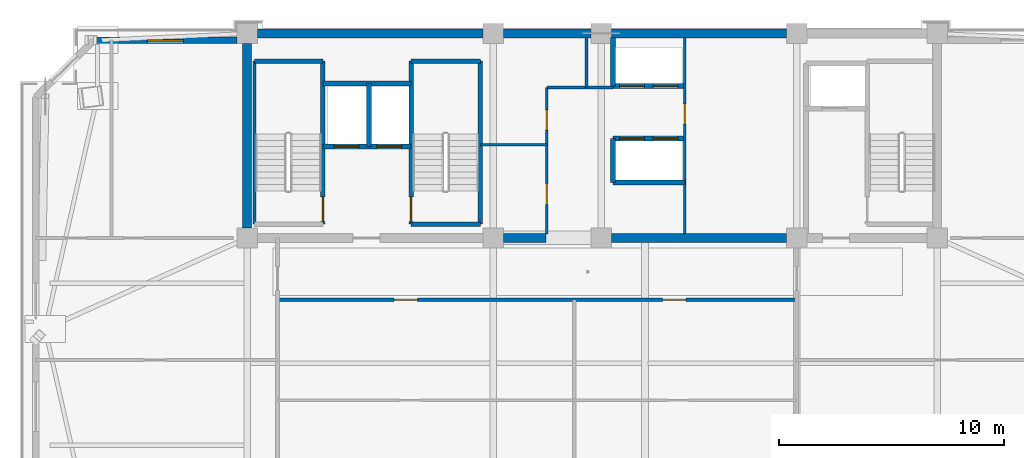
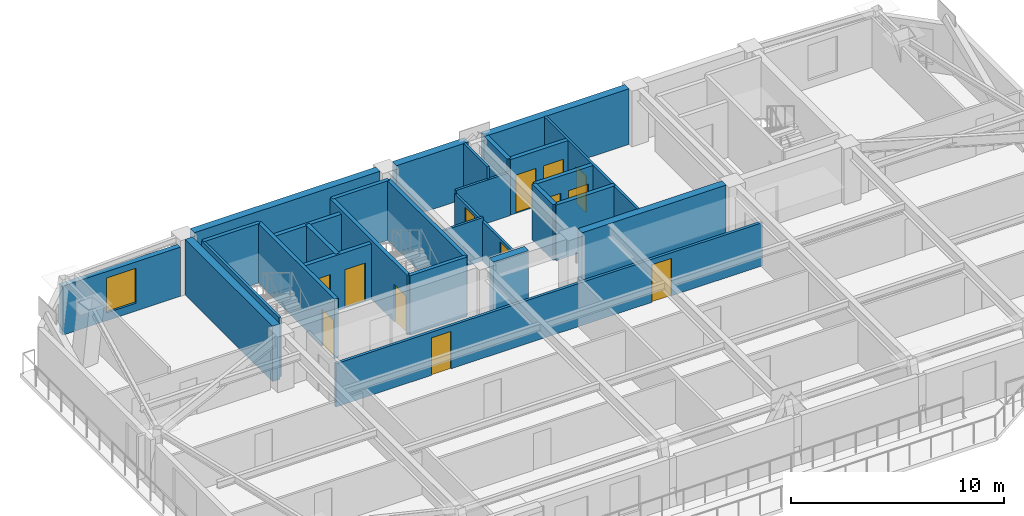
# One storey, part 7 of 14: 28 walls, 13 doors, 1 window, 14 openings.
"""IFC4 building model written with IfcOpenShell, lengths in metres."""

from ifc_helpers import new_model, si_unit, direction, frame, frame_2d, origin, place, context, subcontext, project, spatial, rectangle, extrude, source, transform, mapped, material, layer, layer_set, type_object, element, fill, save


model = new_model("IFC4")

# Units and contexts
model_context = context("Model", 3, precision=1e-05, world=origin(), true_north=direction((0.0, 1.0)))
body_context = subcontext(model_context, "Body", "Model", "MODEL_VIEW")
ifc_project = project(units=[si_unit("LENGTHUNIT", "METRE"), si_unit("AREAUNIT", "SQUARE_METRE"), si_unit("VOLUMEUNIT", "CUBIC_METRE"), si_unit("PLANEANGLEUNIT", "RADIAN"), si_unit("MASSUNIT", "GRAM", prefix="KILO")], contexts=[model_context])

# Site, building, storey
site_placement = place(None, origin())
site = spatial("IfcSite", under=ifc_project, at=site_placement, CompositionType="ELEMENT")
building_placement = place(site_placement, origin())
building = spatial("IfcBuilding", under=site, at=building_placement, Name="Giltprow Tower", CompositionType="ELEMENT")
storey_placement = place(building_placement, frame((0.0, 0.0, 310.800048828125)))
storey = spatial("IfcBuildingStorey", under=building, at=storey_placement, Name="L80", CompositionType="ELEMENT", Elevation=310.800048828125)

# Wall, opening, window
ifc_material_1 = material(Name="Precast concrete C40", Category="concrete")
ifc_layer_1 = layer(ifc_material_1, 0.280029296875, Name="Precast concrete C40")
ifc_layer_set_1 = layer_set([ifc_layer_1], Name="Precast concrete C40")
wall_type_1 = type_object("IfcWallType", Name="EW-TOW-BRONZE-280", PredefinedType="SOLIDWALL", material=ifc_layer_set_1)
wall_1_placement = place(storey_placement, frame((13.02490234375, 46.25, 0.0), z_axis=(0.0, 0.0, 1.0), x_axis=(1.0, 0.0, 0.0)))
wall_1 = element("IfcWall", 1, at=wall_1_placement, inside=storey, type_object=wall_type_1, Name="L80 North-West Wing Wall", PredefinedType="SOLIDWALL", context=body_context, shape_type="SweptSolid", body=[
    extrude(rectangle(XDim=6.375, YDim=0.280029296875, at=frame_2d((3.1875, 0.0))), origin(), (0.0, 0.0, 1.0), 2.81494140625),
])
opening_1_placement = place(wall_1_placement, frame((2.386962890625, 0.0, 0.449951171875)))
opening_1 = element("IfcOpeningElement", 2, at=opening_1_placement, cuts=wall_1, Name="Opening WN17", PredefinedType="OPENING", context=body_context, shape_type="SweptSolid", body=[
    extrude(rectangle(XDim=1.60009765625, YDim=2.0, at=frame_2d((0.800048828125, 1.0))), frame((0.0, 0.14990234375, 0.0), z_axis=(0.0, -1.0, 0.0), x_axis=(1.0, 0.0, 0.0)), (0.0, 0.0, 1.0), 0.300048828125),
])
ifc_material_2 = material(Name="Insulated glass", Category="glass")
window_type = type_object("IfcWindowType", Name="WN-COR-1600x2000", PartitioningType="SINGLE_PANEL", PredefinedType="WINDOW", material=ifc_material_2)
shared_shape_1 = source(origin(), body_context, "Body", "SweptSolid", [
    extrude(rectangle(XDim=1.60009765625, YDim=2.0, at=frame_2d((0.800048828125, 1.0))), frame((0.0, 0.030029296875, 0.0), z_axis=(0.0, -1.0, 0.0), x_axis=(1.0, 0.0, 0.0)), (0.0, 0.0, 1.0), 0.06005859375),
])
window_placement = place(opening_1_placement, origin())
window = element("IfcWindow", 3, at=window_placement, inside=storey, type_object=window_type, Name="L80 North-West Window", OverallHeight=2.0, OverallWidth=1.60009765625, PartitioningType="SINGLE_PANEL", PredefinedType="WINDOW", context=body_context, shape_type="MappedRepresentation", body=[
    mapped(shared_shape_1, transform((0.0, 0.0, 0.0), x_axis=(1.0, 0.0, 0.0), y_axis=(0.0, 1.0, 0.0), z_axis=(0.0, 0.0, 1.0), scale=1.0)),
])
fill(opening_1, window)

# Wall, openings, doors
ifc_material_3 = material(Name="Gypsum stud partition", Category="gypsum")
ifc_layer_2 = layer(ifc_material_3, 0.14990234375, Name="Gypsum stud partition")
ifc_layer_set_2 = layer_set([ifc_layer_2], Name="Gypsum stud partition")
wall_type_2 = type_object("IfcWallType", Name="IW-CORR-150", PredefinedType="PARTITIONING", material=ifc_layer_set_2)
wall_2_placement = place(storey_placement, frame((21.199951171875, 34.699951171875, 0.0), z_axis=(0.0, 0.0, 1.0), x_axis=(1.0, 0.0, 0.0)))
wall_2 = element("IfcWall", 4, at=wall_2_placement, inside=storey, type_object=wall_type_2, Name="L80 Residence Gallery Corridor Wall", PredefinedType="PARTITIONING", context=body_context, shape_type="SweptSolid", body=[
    extrude(rectangle(XDim=23.10009765625, YDim=0.14990234375, at=frame_2d((11.550048828125, 0.0))), origin(), (0.0, 0.0, 1.0), 2.469970703125),
])
opening_2_placement = place(wall_2_placement, frame((5.18505859375, 0.0, 0.0)))
opening_2 = element("IfcOpeningElement", 5, at=opening_2_placement, cuts=wall_2, Name="Opening ID31", PredefinedType="OPENING", context=body_context, shape_type="SweptSolid", body=[
    extrude(rectangle(XDim=1.050048828125, YDim=2.14990234375, at=frame_2d((0.52490234375, 1.074951171875))), frame((0.0, 0.0849609375, 0.0), z_axis=(0.0, -1.0, 0.0), x_axis=(1.0, 0.0, 0.0)), (0.0, 0.0, 1.0), 0.169921875),
])
opening_3_placement = place(wall_2_placement, frame((17.131103515625, 0.0, 0.0)))
opening_3 = element("IfcOpeningElement", 6, at=opening_3_placement, cuts=wall_2, Name="Opening ID31", PredefinedType="OPENING", context=body_context, shape_type="SweptSolid", body=[
    extrude(rectangle(XDim=1.050048828125, YDim=2.14990234375, at=frame_2d((0.52490234375, 1.074951171875))), frame((0.0, 0.0849609375, 0.0), z_axis=(0.0, -1.0, 0.0), x_axis=(1.0, 0.0, 0.0)), (0.0, 0.0, 1.0), 0.169921875),
])
ifc_material_4 = material(Name="Engineered timber", Category="wood")
door_type_1 = type_object("IfcDoorType", Name="DR-SUITE-1050", OperationType="SINGLE_SWING_LEFT", PredefinedType="DOOR", material=ifc_material_4)
shared_shape_2 = source(origin(), body_context, "Body", "SweptSolid", [
    extrude(rectangle(XDim=1.050048828125, YDim=2.14990234375, at=frame_2d((0.52490234375, 1.074951171875))), frame((0.0, 0.02490234375, 0.0), z_axis=(0.0, -1.0, 0.0), x_axis=(1.0, 0.0, 0.0)), (0.0, 0.0, 1.0), 0.050048828125),
])
door_1_placement = place(opening_2_placement, origin())
door_1 = element("IfcDoor", 7, at=door_1_placement, inside=storey, type_object=door_type_1, Name="L80 Residents Sky Club Lounge North Door", OperationType="SINGLE_SWING_LEFT", OverallHeight=2.14990234375, OverallWidth=1.050048828125, PredefinedType="DOOR", context=body_context, shape_type="MappedRepresentation", body=[
    mapped(shared_shape_2, transform((0.0, 0.0, 0.0), x_axis=(1.0, 0.0, 0.0), y_axis=(0.0, 1.0, 0.0), z_axis=(0.0, 0.0, 1.0), scale=1.0)),
])
fill(opening_2, door_1)
door_2_placement = place(opening_3_placement, origin())
door_2 = element("IfcDoor", 8, at=door_2_placement, inside=storey, type_object=door_type_1, Name="L80 Residents Sky Club Lounge North Door", OperationType="SINGLE_SWING_RIGHT", OverallHeight=2.14990234375, OverallWidth=1.050048828125, PredefinedType="DOOR", context=body_context, shape_type="MappedRepresentation", body=[
    mapped(shared_shape_2, transform((0.0, 0.0, 0.0), x_axis=(1.0, 0.0, 0.0), y_axis=(0.0, 1.0, 0.0), z_axis=(0.0, 0.0, 1.0), scale=1.0)),
])
fill(opening_3, door_2)

ifc_material_5 = material(Name="Concrete C40", Category="concrete")
ifc_layer_3 = layer(ifc_material_5, 0.219970703125, Name="Concrete C40")
ifc_layer_set_3 = layer_set([ifc_layer_3], Name="Concrete C40")
wall_type_3 = type_object("IfcWallType", Name="IW-SHAFT-220", PredefinedType="SOLIDWALL", material=ifc_layer_set_3)
wall_3_placement = place(storey_placement, frame((23.219970703125, 41.52001953125, 0.0), z_axis=(0.0, 0.0, 1.0), x_axis=(1.0, 0.0, 0.0)))
wall_3 = element("IfcWall", 9, at=wall_3_placement, inside=storey, type_object=wall_type_3, Name="L80 FFL1 and Service Lift Front Wall", PredefinedType="SOLIDWALL", context=body_context, shape_type="SweptSolid", body=[
    extrude(rectangle(XDim=3.919921875, YDim=0.219970703125, at=frame_2d((1.9599609375, 0.0))), origin(), (0.0, 0.0, 1.0), 3.18505859375),
])
opening_4_placement = place(wall_3_placement, frame((0.5, 0.0, 0.0)))
opening_4 = element("IfcOpeningElement", 10, at=opening_4_placement, cuts=wall_3, Name="Opening LD-11", PredefinedType="OPENING", context=body_context, shape_type="SweptSolid", body=[
    extrude(rectangle(XDim=1.10009765625, YDim=2.199951171875, at=frame_2d((0.550048828125, 1.10009765625))), frame((0.0, 0.119873046875, 0.0), z_axis=(0.0, -1.0, 0.0), x_axis=(1.0, 0.0, 0.0)), (0.0, 0.0, 1.0), 0.239990234375),
])
opening_5_placement = place(wall_3_placement, frame((2.39990234375, 0.0, 0.0)))
opening_5 = element("IfcOpeningElement", 11, at=opening_5_placement, cuts=wall_3, Name="Opening LD-11", PredefinedType="OPENING", context=body_context, shape_type="SweptSolid", body=[
    extrude(rectangle(XDim=1.10009765625, YDim=2.199951171875, at=frame_2d((0.550048828125, 1.10009765625))), frame((0.0, 0.119873046875, 0.0), z_axis=(0.0, -1.0, 0.0), x_axis=(1.0, 0.0, 0.0)), (0.0, 0.0, 1.0), 0.239990234375),
])
ifc_material_6 = material(Name="Stainless steel", Category="steel")
door_type_2 = type_object("IfcDoorType", Name="DR-LIFT-LD1100", OperationType="SLIDING_TO_LEFT", PredefinedType="DOOR", material=ifc_material_6)
shared_shape_3 = source(origin(), body_context, "Body", "SweptSolid", [
    extrude(rectangle(XDim=1.10009765625, YDim=2.199951171875, at=frame_2d((0.550048828125, 1.10009765625))), frame((0.0, 0.02490234375, 0.0), z_axis=(0.0, -1.0, 0.0), x_axis=(1.0, 0.0, 0.0)), (0.0, 0.0, 1.0), 0.050048828125),
])
door_3_placement = place(opening_4_placement, origin())
door_3 = element("IfcDoor", 12, at=door_3_placement, inside=storey, type_object=door_type_2, Name="L80 FFL1 Landing Door", OperationType="SLIDING_TO_LEFT", OverallHeight=2.199951171875, OverallWidth=1.10009765625, PredefinedType="DOOR", context=body_context, shape_type="MappedRepresentation", body=[
    mapped(shared_shape_3, transform((0.0, 0.0, 0.0), x_axis=(1.0, 0.0, 0.0), y_axis=(0.0, 1.0, 0.0), z_axis=(0.0, 0.0, 1.0), scale=1.0)),
])
fill(opening_4, door_3)
door_4_placement = place(opening_5_placement, origin())
door_4 = element("IfcDoor", 13, at=door_4_placement, inside=storey, type_object=door_type_2, Name="L80 SVL1 Landing Door", OperationType="SLIDING_TO_LEFT", OverallHeight=2.199951171875, OverallWidth=1.10009765625, PredefinedType="DOOR", context=body_context, shape_type="MappedRepresentation", body=[
    mapped(shared_shape_3, transform((0.0, 0.0, 0.0), x_axis=(1.0, 0.0, 0.0), y_axis=(0.0, 1.0, 0.0), z_axis=(0.0, 0.0, 1.0), scale=1.0)),
])
fill(opening_5, door_4)

# Walls
wall_4_placement = place(storey_placement, frame((25.260009765625, 41.52001953125, 0.0), z_axis=(0.0, 0.0, 1.0), x_axis=(0.0, 1.0, 0.0)))
element("IfcWall", 14, at=wall_4_placement, inside=storey, type_object=wall_type_3, Name="L80 FFL1-SVL1 Shaft Divider", PredefinedType="SOLIDWALL", context=body_context, shape_type="SweptSolid", body=[
    extrude(rectangle(XDim=2.800048828125, YDim=0.219970703125, at=frame_2d((1.39990234375, 0.0))), origin(), (0.0, 0.0, 1.0), 3.18505859375),
])
wall_5_placement = place(storey_placement, frame((23.219970703125, 44.320068359375, 0.0), z_axis=(0.0, 0.0, 1.0), x_axis=(1.0, 0.0, 0.0)))
element("IfcWall", 15, at=wall_5_placement, inside=storey, type_object=wall_type_3, Name="L80 FFL1-SVL1 Back Shaft Wall", PredefinedType="SOLIDWALL", context=body_context, shape_type="SweptSolid", body=[
    extrude(rectangle(XDim=3.919921875, YDim=0.219970703125, at=frame_2d((1.9599609375, 0.0))), origin(), (0.0, 0.0, 1.0), 3.18505859375),
])

# Wall, openings, doors
wall_6_placement = place(storey_placement, frame((36.1201171875, 44.219970703125, 0.0), z_axis=(0.0, 0.0, 1.0), x_axis=(1.0, 0.0, 0.0)))
wall_6 = element("IfcWall", 16, at=wall_6_placement, inside=storey, type_object=wall_type_3, Name="L80 High-Rise Lift Shaft Front Wall N", PredefinedType="SOLIDWALL", context=body_context, shape_type="SweptSolid", body=[
    extrude(rectangle(XDim=3.199951171875, YDim=0.219970703125, at=frame_2d((1.60009765625, 0.0))), origin(), (0.0, 0.0, 1.0), 3.18505859375),
])
opening_6_placement = place(wall_6_placement, frame((0.300048828125, 0.0, 0.0)))
opening_6 = element("IfcOpeningElement", 17, at=opening_6_placement, cuts=wall_6, Name="Opening LD-11", PredefinedType="OPENING", context=body_context, shape_type="SweptSolid", body=[
    extrude(rectangle(XDim=1.10009765625, YDim=2.199951171875, at=frame_2d((0.550048828125, 1.10009765625))), frame((0.0, 0.119873046875, 0.0), z_axis=(0.0, -1.0, 0.0), x_axis=(1.0, 0.0, 0.0)), (0.0, 0.0, 1.0), 0.239990234375),
])
opening_7_placement = place(wall_6_placement, frame((1.7900390625, 0.0, 0.0)))
opening_7 = element("IfcOpeningElement", 18, at=opening_7_placement, cuts=wall_6, Name="Opening LD-11", PredefinedType="OPENING", context=body_context, shape_type="SweptSolid", body=[
    extrude(rectangle(XDim=1.10009765625, YDim=2.199951171875, at=frame_2d((0.550048828125, 1.10009765625))), frame((0.0, 0.119873046875, 0.0), z_axis=(0.0, -1.0, 0.0), x_axis=(1.0, 0.0, 0.0)), (0.0, 0.0, 1.0), 0.239990234375),
])
door_5_placement = place(opening_6_placement, origin())
door_5 = element("IfcDoor", 19, at=door_5_placement, inside=storey, type_object=door_type_2, Name="L80 PL-H1 Landing Door", OperationType="SLIDING_TO_LEFT", OverallHeight=2.199951171875, OverallWidth=1.10009765625, PredefinedType="DOOR", context=body_context, shape_type="MappedRepresentation", body=[
    mapped(shared_shape_3, transform((0.0, 0.0, 0.0), x_axis=(1.0, 0.0, 0.0), y_axis=(0.0, 1.0, 0.0), z_axis=(0.0, 0.0, 1.0), scale=1.0)),
])
fill(opening_6, door_5)
door_6_placement = place(opening_7_placement, origin())
door_6 = element("IfcDoor", 20, at=door_6_placement, inside=storey, type_object=door_type_2, Name="L80 PL-H2 Landing Door", OperationType="SLIDING_TO_LEFT", OverallHeight=2.199951171875, OverallWidth=1.10009765625, PredefinedType="DOOR", context=body_context, shape_type="MappedRepresentation", body=[
    mapped(shared_shape_3, transform((0.0, 0.0, 0.0), x_axis=(1.0, 0.0, 0.0), y_axis=(0.0, 1.0, 0.0), z_axis=(0.0, 0.0, 1.0), scale=1.0)),
])
fill(opening_7, door_6)

wall_7_placement = place(storey_placement, frame((36.1201171875, 41.8798828125, 0.0), z_axis=(0.0, 0.0, 1.0), x_axis=(1.0, 0.0, 0.0)))
wall_7 = element("IfcWall", 21, at=wall_7_placement, inside=storey, type_object=wall_type_3, Name="L80 High-Rise Lift Shaft Front Wall S", PredefinedType="SOLIDWALL", context=body_context, shape_type="SweptSolid", body=[
    extrude(rectangle(XDim=3.199951171875, YDim=0.219970703125, at=frame_2d((1.60009765625, 0.0))), origin(), (0.0, 0.0, 1.0), 3.18505859375),
])
opening_8_placement = place(wall_7_placement, frame((0.300048828125, 0.0, 0.0)))
opening_8 = element("IfcOpeningElement", 22, at=opening_8_placement, cuts=wall_7, Name="Opening LD-11", PredefinedType="OPENING", context=body_context, shape_type="SweptSolid", body=[
    extrude(rectangle(XDim=1.10009765625, YDim=2.199951171875, at=frame_2d((0.550048828125, 1.10009765625))), frame((0.0, 0.119873046875, 0.0), z_axis=(0.0, -1.0, 0.0), x_axis=(1.0, 0.0, 0.0)), (0.0, 0.0, 1.0), 0.239990234375),
])
opening_9_placement = place(wall_7_placement, frame((1.7900390625, 0.0, 0.0)))
opening_9 = element("IfcOpeningElement", 23, at=opening_9_placement, cuts=wall_7, Name="Opening LD-11", PredefinedType="OPENING", context=body_context, shape_type="SweptSolid", body=[
    extrude(rectangle(XDim=1.10009765625, YDim=2.199951171875, at=frame_2d((0.550048828125, 1.10009765625))), frame((0.0, 0.119873046875, 0.0), z_axis=(0.0, -1.0, 0.0), x_axis=(1.0, 0.0, 0.0)), (0.0, 0.0, 1.0), 0.239990234375),
])
door_7_placement = place(opening_8_placement, origin())
door_7 = element("IfcDoor", 24, at=door_7_placement, inside=storey, type_object=door_type_2, Name="L80 PL-H3 Landing Door", OperationType="SLIDING_TO_LEFT", OverallHeight=2.199951171875, OverallWidth=1.10009765625, PredefinedType="DOOR", context=body_context, shape_type="MappedRepresentation", body=[
    mapped(shared_shape_3, transform((0.0, 0.0, 0.0), x_axis=(1.0, 0.0, 0.0), y_axis=(0.0, 1.0, 0.0), z_axis=(0.0, 0.0, 1.0), scale=1.0)),
])
fill(opening_8, door_7)
door_8_placement = place(opening_9_placement, origin())
door_8 = element("IfcDoor", 25, at=door_8_placement, inside=storey, type_object=door_type_2, Name="L80 PL-H4 Landing Door", OperationType="SLIDING_TO_LEFT", OverallHeight=2.199951171875, OverallWidth=1.10009765625, PredefinedType="DOOR", context=body_context, shape_type="MappedRepresentation", body=[
    mapped(shared_shape_3, transform((0.0, 0.0, 0.0), x_axis=(1.0, 0.0, 0.0), y_axis=(0.0, 1.0, 0.0), z_axis=(0.0, 0.0, 1.0), scale=1.0)),
])
fill(opening_9, door_8)

# Walls
wall_8_placement = place(storey_placement, frame((36.1201171875, 39.919921875, 0.0), z_axis=(0.0, 0.0, 1.0), x_axis=(1.0, 0.0, 0.0)))
element("IfcWall", 26, at=wall_8_placement, inside=storey, type_object=wall_type_3, Name="L80 High-Rise South Lift Back Wall", PredefinedType="SOLIDWALL", context=body_context, shape_type="SweptSolid", body=[
    extrude(rectangle(XDim=3.199951171875, YDim=0.219970703125, at=frame_2d((1.60009765625, 0.0))), origin(), (0.0, 0.0, 1.0), 3.18505859375),
])
wall_9_placement = place(storey_placement, frame((36.1201171875, 39.919921875, 0.0), z_axis=(0.0, 0.0, 1.0), x_axis=(0.0, 1.0, 0.0)))
element("IfcWall", 27, at=wall_9_placement, inside=storey, type_object=wall_type_3, Name="L80 High-Rise South Lift West Closure", PredefinedType="SOLIDWALL", context=body_context, shape_type="SweptSolid", body=[
    extrude(rectangle(XDim=1.9599609375, YDim=0.219970703125, at=frame_2d((0.97998046875, 0.0))), origin(), (0.0, 0.0, 1.0), 3.18505859375),
])
wall_10_placement = place(storey_placement, frame((36.1201171875, 44.219970703125, 0.0), z_axis=(0.0, 0.0, 1.0), x_axis=(0.0, 1.0, 0.0)))
element("IfcWall", 28, at=wall_10_placement, inside=storey, type_object=wall_type_3, Name="L80 High-Rise North Lift West Closure", PredefinedType="SOLIDWALL", context=body_context, shape_type="SweptSolid", body=[
    extrude(rectangle(XDim=2.150146484375, YDim=0.219970703125, at=frame_2d((1.0751953125, 0.0))), origin(), (0.0, 0.0, 1.0), 3.18505859375),
])
ifc_material_7 = material(Name="Concrete C45", Category="concrete")
ifc_layer_4 = layer(ifc_material_7, 0.139892578125, Name="Concrete C45")
ifc_layer_set_4 = layer_set([ifc_layer_4], Name="Concrete C45")
wall_type_4 = type_object("IfcWallType", Name="IW-STAIR-140", PredefinedType="SOLIDWALL", material=ifc_layer_set_4)
wall_11_placement = place(storey_placement, frame((20.169921875, 38.070068359375, 0.0), z_axis=(0.0, 0.0, 1.0), x_axis=(0.0, 1.0, 0.0)))
element("IfcWall", 29, at=wall_11_placement, inside=storey, type_object=wall_type_4, Name="L80 Stair ST-1 West Bearing Wall", PredefinedType="SOLIDWALL", context=body_context, shape_type="SweptSolid", body=[
    extrude(rectangle(XDim=7.25, YDim=0.139892578125, at=frame_2d((3.625, 0.0))), origin(), (0.0, 0.0, 1.0), 3.39990234375),
])

# Wall, opening, door
ifc_layer_5 = layer(ifc_material_5, 0.199951171875, Name="Concrete C40")
ifc_layer_set_5 = layer_set([ifc_layer_5], Name="Concrete C40")
wall_type_5 = type_object("IfcWallType", Name="IW-STAIR-200", PredefinedType="SOLIDWALL", material=ifc_layer_set_5)
wall_12_placement = place(storey_placement, frame((23.219970703125, 38.070068359375, 0.0), z_axis=(0.0, 0.0, 1.0), x_axis=(0.0, 1.0, 0.0)))
wall_12 = element("IfcWall", 30, at=wall_12_placement, inside=storey, type_object=wall_type_5, Name="L80 Stair ST-1 East Bearing Wall", PredefinedType="SOLIDWALL", context=body_context, shape_type="SweptSolid", body=[
    extrude(rectangle(XDim=7.25, YDim=0.199951171875, at=frame_2d((3.625, 0.0))), origin(), (0.0, 0.0, 1.0), 3.39990234375),
])
opening_10_placement = place(wall_12_placement, frame((0.110107421875, 0.0, 0.0)))
opening_10 = element("IfcOpeningElement", 31, at=opening_10_placement, cuts=wall_12, Name="Opening ID33", PredefinedType="OPENING", context=body_context, shape_type="SweptSolid", body=[
    extrude(rectangle(XDim=1.10009765625, YDim=2.14990234375, at=frame_2d((0.550048828125, 1.074951171875))), frame((0.0, 0.10986328125, 0.0), z_axis=(0.0, -1.0, 0.0), x_axis=(1.0, 0.0, 0.0)), (0.0, 0.0, 1.0), 0.219970703125),
])
ifc_material_8 = material(Name="Steel fire leaf", Category="steel")
door_type_3 = type_object("IfcDoorType", Name="DR-STAIR-1100", OperationType="SINGLE_SWING_LEFT", PredefinedType="DOOR", material=ifc_material_8)
shared_shape_4 = source(origin(), body_context, "Body", "SweptSolid", [
    extrude(rectangle(XDim=1.10009765625, YDim=2.14990234375, at=frame_2d((0.550048828125, 1.074951171875))), frame((0.0, 0.02490234375, 0.0), z_axis=(0.0, -1.0, 0.0), x_axis=(1.0, 0.0, 0.0)), (0.0, 0.0, 1.0), 0.050048828125),
])
door_9_placement = place(opening_10_placement, origin())
door_9 = element("IfcDoor", 32, at=door_9_placement, inside=storey, type_object=door_type_3, Name="L80 Stair ST-1 Fire Door", OperationType="SINGLE_SWING_RIGHT", OverallHeight=2.14990234375, OverallWidth=1.10009765625, PredefinedType="DOOR", context=body_context, shape_type="MappedRepresentation", body=[
    mapped(shared_shape_4, transform((0.0, 0.0, 0.0), x_axis=(1.0, 0.0, 0.0), y_axis=(0.0, 1.0, 0.0), z_axis=(0.0, 0.0, 1.0), scale=1.0)),
])
fill(opening_10, door_9)

# Wall
wall_13_placement = place(storey_placement, frame((20.169921875, 45.320068359375, 0.0), z_axis=(0.0, 0.0, 1.0), x_axis=(1.0, 0.0, 0.0)))
element("IfcWall", 33, at=wall_13_placement, inside=storey, type_object=wall_type_5, Name="L80 Stair ST-1 North Bearing Wall", PredefinedType="SOLIDWALL", context=body_context, shape_type="SweptSolid", body=[
    extrude(rectangle(XDim=3.050048828125, YDim=0.199951171875, at=frame_2d((1.52490234375, 0.0))), origin(), (0.0, 0.0, 1.0), 3.39990234375),
])

# Wall, opening, door
wall_14_placement = place(storey_placement, frame((27.139892578125, 38.070068359375, 0.0), z_axis=(0.0, 0.0, 1.0), x_axis=(0.0, 1.0, 0.0)))
wall_14 = element("IfcWall", 34, at=wall_14_placement, inside=storey, type_object=wall_type_5, Name="L80 Stair ST-2 West Bearing Wall", PredefinedType="SOLIDWALL", context=body_context, shape_type="SweptSolid", body=[
    extrude(rectangle(XDim=7.25, YDim=0.199951171875, at=frame_2d((3.625, 0.0))), origin(), (0.0, 0.0, 1.0), 3.39990234375),
])
opening_11_placement = place(wall_14_placement, frame((0.110107421875, 0.0, 0.0)))
opening_11 = element("IfcOpeningElement", 35, at=opening_11_placement, cuts=wall_14, Name="Opening ID33", PredefinedType="OPENING", context=body_context, shape_type="SweptSolid", body=[
    extrude(rectangle(XDim=1.10009765625, YDim=2.14990234375, at=frame_2d((0.550048828125, 1.074951171875))), frame((0.0, 0.10986328125, 0.0), z_axis=(0.0, -1.0, 0.0), x_axis=(1.0, 0.0, 0.0)), (0.0, 0.0, 1.0), 0.219970703125),
])
door_10_placement = place(opening_11_placement, origin())
door_10 = element("IfcDoor", 36, at=door_10_placement, inside=storey, type_object=door_type_3, Name="L80 Stair ST-2 Fire Door", OperationType="SINGLE_SWING_LEFT", OverallHeight=2.14990234375, OverallWidth=1.10009765625, PredefinedType="DOOR", context=body_context, shape_type="MappedRepresentation", body=[
    mapped(shared_shape_4, transform((0.0, 0.0, 0.0), x_axis=(1.0, 0.0, 0.0), y_axis=(0.0, 1.0, 0.0), z_axis=(0.0, 0.0, 1.0), scale=1.0)),
])
fill(opening_11, door_10)

# Walls
wall_15_placement = place(storey_placement, frame((30.219970703125, 38.070068359375, 0.0), z_axis=(0.0, 0.0, 1.0), x_axis=(0.0, 1.0, 0.0)))
element("IfcWall", 37, at=wall_15_placement, inside=storey, type_object=wall_type_5, Name="L80 Stair ST-2 East Bearing Wall", PredefinedType="SOLIDWALL", context=body_context, shape_type="SweptSolid", body=[
    extrude(rectangle(XDim=7.25, YDim=0.199951171875, at=frame_2d((3.625, 0.0))), origin(), (0.0, 0.0, 1.0), 3.39990234375),
])
for number, where, z_axis, x_axis, name in (
    (38, (27.139892578125, 45.320068359375, 0.0), (0.0, 0.0, 1.0), (1.0, 0.0, 0.0), "L80 Stair ST-2 North Bearing Wall"),
    (39, (27.139892578125, 38.070068359375, 0.0), (0.0, 0.0, 1.0), (1.0, 0.0, 0.0), "L80 Stair ST-2 South Bearing Wall"),
):
    element("IfcWall", number, at=place(storey_placement, frame(where, z_axis=z_axis, x_axis=x_axis)), inside=storey, type_object=wall_type_5, Name=name, PredefinedType="SOLIDWALL", context=body_context, shape_type="SweptSolid", body=[
        extrude(rectangle(XDim=3.080078125, YDim=0.199951171875, at=frame_2d((1.5400390625, 0.0))), origin(), (0.0, 0.0, 1.0), 3.39990234375),
    ])

# Wall, openings, doors
ifc_material_9 = material(Name="Concrete C30", Category="concrete")
ifc_layer_6 = layer(ifc_material_9, 0.1298828125, Name="Concrete C30")
ifc_layer_set_6 = layer_set([ifc_layer_6], Name="Concrete C30")
wall_type_6 = type_object("IfcWallType", Name="IW-WET-130", PredefinedType="PARTITIONING", material=ifc_layer_set_6)
wall_16_placement = place(storey_placement, frame((33.179931640625, 37.6298828125, 0.0), z_axis=(0.0, 0.0, 1.0), x_axis=(0.0, 1.0, 0.0)))
wall_16 = element("IfcWall", 40, at=wall_16_placement, inside=storey, type_object=wall_type_6, Name="L80 Reclaimed West Core Wall", PredefinedType="PARTITIONING", context=body_context, shape_type="SweptSolid", body=[
    extrude(rectangle(XDim=6.52001953125, YDim=0.1298828125, at=frame_2d((3.260009765625, 0.0))), origin(), (0.0, 0.0, 1.0), 2.27001953125),
])
opening_12_placement = place(wall_16_placement, frame((1.320068359375, 0.0, 0.0)))
opening_12 = element("IfcOpeningElement", 41, at=opening_12_placement, cuts=wall_16, Name="Opening ID35", PredefinedType="OPENING", context=body_context, shape_type="SweptSolid", body=[
    extrude(rectangle(XDim=0.89990234375, YDim=2.10009765625, at=frame_2d((0.449951171875, 1.050048828125))), frame((0.0, 0.074951171875, 0.0), z_axis=(0.0, -1.0, 0.0), x_axis=(1.0, 0.0, 0.0)), (0.0, 0.0, 1.0), 0.14990234375),
])
opening_13_placement = place(wall_16_placement, frame((4.6201171875, 0.0, 0.0)))
opening_13 = element("IfcOpeningElement", 42, at=opening_13_placement, cuts=wall_16, Name="Opening ID35", PredefinedType="OPENING", context=body_context, shape_type="SweptSolid", body=[
    extrude(rectangle(XDim=0.89990234375, YDim=2.10009765625, at=frame_2d((0.449951171875, 1.050048828125))), frame((0.0, 0.074951171875, 0.0), z_axis=(0.0, -1.0, 0.0), x_axis=(1.0, 0.0, 0.0)), (0.0, 0.0, 1.0), 0.14990234375),
])
door_type_4 = type_object("IfcDoorType", Name="DR-SHAFT-900", OperationType="SINGLE_SWING_LEFT", PredefinedType="DOOR", material=ifc_material_8)
shared_shape_5 = source(origin(), body_context, "Body", "SweptSolid", [
    extrude(rectangle(XDim=0.89990234375, YDim=2.10009765625, at=frame_2d((0.449951171875, 1.050048828125))), frame((0.0, 0.02490234375, 0.0), z_axis=(0.0, -1.0, 0.0), x_axis=(1.0, 0.0, 0.0)), (0.0, 0.0, 1.0), 0.050048828125),
])
door_11_placement = place(opening_12_placement, origin())
door_11 = element("IfcDoor", 43, at=door_11_placement, inside=storey, type_object=door_type_4, Name="L80 Core Powder Room Door", OperationType="SINGLE_SWING_LEFT", OverallHeight=2.10009765625, OverallWidth=0.89990234375, PredefinedType="DOOR", context=body_context, shape_type="MappedRepresentation", body=[
    mapped(shared_shape_5, transform((0.0, 0.0, 0.0), x_axis=(1.0, 0.0, 0.0), y_axis=(0.0, 1.0, 0.0), z_axis=(0.0, 0.0, 1.0), scale=1.0)),
])
fill(opening_12, door_11)
door_12_placement = place(opening_13_placement, origin())
door_12 = element("IfcDoor", 44, at=door_12_placement, inside=storey, type_object=door_type_4, Name="L80 Core Valet Pantry Door", OperationType="SINGLE_SWING_RIGHT", OverallHeight=2.10009765625, OverallWidth=0.89990234375, PredefinedType="DOOR", context=body_context, shape_type="MappedRepresentation", body=[
    mapped(shared_shape_5, transform((0.0, 0.0, 0.0), x_axis=(1.0, 0.0, 0.0), y_axis=(0.0, 1.0, 0.0), z_axis=(0.0, 0.0, 1.0), scale=1.0)),
])
fill(opening_13, door_12)

# Walls
wall_17_placement = place(storey_placement, frame((34.949951171875, 44.14990234375, 0.0), z_axis=(0.0, 0.0, 1.0), x_axis=(0.0, 1.0, 0.0)))
element("IfcWall", 45, at=wall_17_placement, inside=storey, type_object=wall_type_6, Name="L80 Reclaimed West Pocket Wall E", PredefinedType="PARTITIONING", context=body_context, shape_type="SweptSolid", body=[
    extrude(rectangle(XDim=2.22021484375, YDim=0.1298828125, at=frame_2d((1.110107421875, 0.0))), origin(), (0.0, 0.0, 1.0), 3.18505859375),
])
wall_18_placement = place(storey_placement, frame((33.179931640625, 44.14990234375, 0.0), z_axis=(0.0, 0.0, 1.0), x_axis=(1.0, 0.0, 0.0)))
element("IfcWall", 46, at=wall_18_placement, inside=storey, type_object=wall_type_6, Name="L80 Reclaimed West Pocket Wall S", PredefinedType="PARTITIONING", context=body_context, shape_type="SweptSolid", body=[
    extrude(rectangle(XDim=2.940185546875, YDim=0.1298828125, at=frame_2d((1.47021484375, 0.0))), origin(), (0.0, 0.0, 1.0), 2.469970703125),
])

# Wall, opening, door
wall_19_placement = place(storey_placement, frame((39.320068359375, 37.6298828125, 0.0), z_axis=(0.0, 0.0, 1.0), x_axis=(0.0, 1.0, 0.0)))
wall_19 = element("IfcWall", 47, at=wall_19_placement, inside=storey, type_object=wall_type_6, Name="L80 Reclaimed East Core Wall", PredefinedType="PARTITIONING", context=body_context, shape_type="SweptSolid", body=[
    extrude(rectangle(XDim=8.740234375, YDim=0.1298828125, at=frame_2d((4.3701171875, 0.0))), origin(), (0.0, 0.0, 1.0), 3.18505859375),
])
opening_14_placement = place(wall_19_placement, frame((4.889892578125, 0.0, 0.0)))
opening_14 = element("IfcOpeningElement", 48, at=opening_14_placement, cuts=wall_19, Name="Opening ID35", PredefinedType="OPENING", context=body_context, shape_type="SweptSolid", body=[
    extrude(rectangle(XDim=0.89990234375, YDim=2.10009765625, at=frame_2d((0.449951171875, 1.050048828125))), frame((0.0, 0.074951171875, 0.0), z_axis=(0.0, -1.0, 0.0), x_axis=(1.0, 0.0, 0.0)), (0.0, 0.0, 1.0), 0.14990234375),
])
door_13_placement = place(opening_14_placement, origin())
door_13 = element("IfcDoor", 49, at=door_13_placement, inside=storey, type_object=door_type_4, Name="L80 Core Cold Delivery Store Door", OperationType="SINGLE_SWING_LEFT", OverallHeight=2.10009765625, OverallWidth=0.89990234375, PredefinedType="DOOR", context=body_context, shape_type="MappedRepresentation", body=[
    mapped(shared_shape_5, transform((0.0, 0.0, 0.0), x_axis=(1.0, 0.0, 0.0), y_axis=(0.0, 1.0, 0.0), z_axis=(0.0, 0.0, 1.0), scale=1.0)),
])
fill(opening_14, door_13)

# Walls
wall_20_placement = place(storey_placement, frame((30.219970703125, 41.60009765625, 0.0), z_axis=(0.0, 0.0, 1.0), x_axis=(1.0, 0.0, 0.0)))
element("IfcWall", 50, at=wall_20_placement, inside=storey, type_object=wall_type_6, Name="L80 West Core Split", PredefinedType="PARTITIONING", context=body_context, shape_type="SweptSolid", body=[
    extrude(rectangle(XDim=2.9599609375, YDim=0.1298828125, at=frame_2d((1.47998046875, 0.0))), origin(), (0.0, 0.0, 1.0), 2.469970703125),
])
ifc_layer_7 = layer(ifc_material_7, 0.39990234375, Name="Concrete C45")
ifc_layer_set_7 = layer_set([ifc_layer_7], Name="Concrete C45")
wall_type_7 = type_object("IfcWallType", Name="SW-EXT-400-C45", PredefinedType="SHEAR", material=ifc_layer_set_7)
wall_21_placement = place(storey_placement, frame((20.300048828125, 46.550048828125, 0.0), z_axis=(0.0, 0.0, 1.0), x_axis=(1.0, 0.0, 0.0)))
element("IfcWall", 51, at=wall_21_placement, inside=storey, type_object=wall_type_7, Name="L80 North Rear Core Shear Wall 1", PredefinedType="SHEAR", context=body_context, shape_type="SweptSolid", body=[
    extrude(rectangle(XDim=10.050048828125, YDim=0.39990234375, at=frame_2d((5.02490234375, 0.0))), origin(), (0.0, 0.0, 1.0), 3.18505859375),
])
wall_22_placement = place(storey_placement, frame((31.25, 46.550048828125, 0.0), z_axis=(0.0, 0.0, 1.0), x_axis=(1.0, 0.0, 0.0)))
element("IfcWall", 52, at=wall_22_placement, inside=storey, type_object=wall_type_7, Name="L80 North Rear Core Shear Wall 2", PredefinedType="SHEAR", context=body_context, shape_type="SweptSolid", body=[
    extrude(rectangle(XDim=3.89990234375, YDim=0.39990234375, at=frame_2d((1.949951171875, 0.0))), origin(), (0.0, 0.0, 1.0), 3.18505859375),
])
wall_23_placement = place(storey_placement, frame((36.050048828125, 46.550048828125, 0.0), z_axis=(0.0, 0.0, 1.0), x_axis=(1.0, 0.0, 0.0)))
element("IfcWall", 53, at=wall_23_placement, inside=storey, type_object=wall_type_7, Name="L80 North Rear Core Shear Wall 3", PredefinedType="SHEAR", context=body_context, shape_type="SweptSolid", body=[
    extrude(rectangle(XDim=7.800048828125, YDim=0.39990234375, at=frame_2d((3.89990234375, 0.0))), origin(), (0.0, 0.0, 1.0), 3.18505859375),
])
ifc_layer_8 = layer(ifc_material_7, 0.39990234375, Name="Concrete C45")
ifc_layer_set_8 = layer_set([ifc_layer_8], Name="Concrete C45")
wall_type_8 = type_object("IfcWallType", Name="SW-INT-400-C45", PredefinedType="SHEAR", material=ifc_layer_set_8)
wall_24_placement = place(storey_placement, frame((31.25, 37.449951171875, 0.0), z_axis=(0.0, 0.0, 1.0), x_axis=(1.0, 0.0, 0.0)))
element("IfcWall", 54, at=wall_24_placement, inside=storey, type_object=wall_type_8, Name="L80 South Rear Core Shear Wall Mid-West", PredefinedType="SHEAR", context=body_context, shape_type="SweptSolid", body=[
    extrude(rectangle(XDim=1.89990234375, YDim=0.39990234375, at=frame_2d((0.949951171875, 0.0))), origin(), (0.0, 0.0, 1.0), 3.18505859375),
])
wall_25_placement = place(storey_placement, frame((36.050048828125, 37.449951171875, 0.0), z_axis=(0.0, 0.0, 1.0), x_axis=(1.0, 0.0, 0.0)))
element("IfcWall", 55, at=wall_25_placement, inside=storey, type_object=wall_type_8, Name="L80 South Rear Core Shear Wall Mid-East", PredefinedType="SHEAR", context=body_context, shape_type="SweptSolid", body=[
    extrude(rectangle(XDim=7.800048828125, YDim=0.39990234375, at=frame_2d((3.89990234375, 0.0))), origin(), (0.0, 0.0, 1.0), 3.18505859375),
])
wall_26_placement = place(storey_placement, frame((19.85009765625, 37.89990234375, 0.0), z_axis=(0.0, 0.0, 1.0), x_axis=(0.0, 1.0, 0.0)))
element("IfcWall", 56, at=wall_26_placement, inside=storey, type_object=wall_type_8, Name="L80 W Rear Core Shear Wall", PredefinedType="SHEAR", context=body_context, shape_type="SweptSolid", body=[
    extrude(rectangle(XDim=8.2001953125, YDim=0.39990234375, at=frame_2d((4.10009765625, 0.0))), origin(), (0.0, 0.0, 1.0), 3.18505859375),
])

save(model, "model.ifc")
